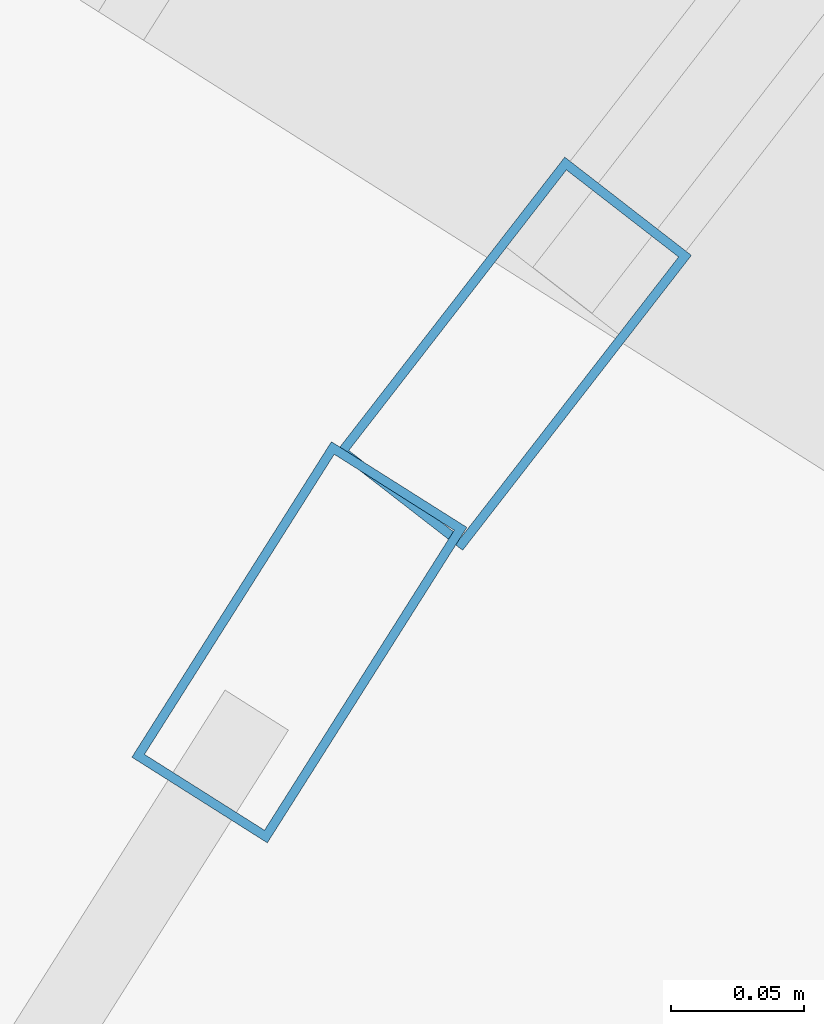
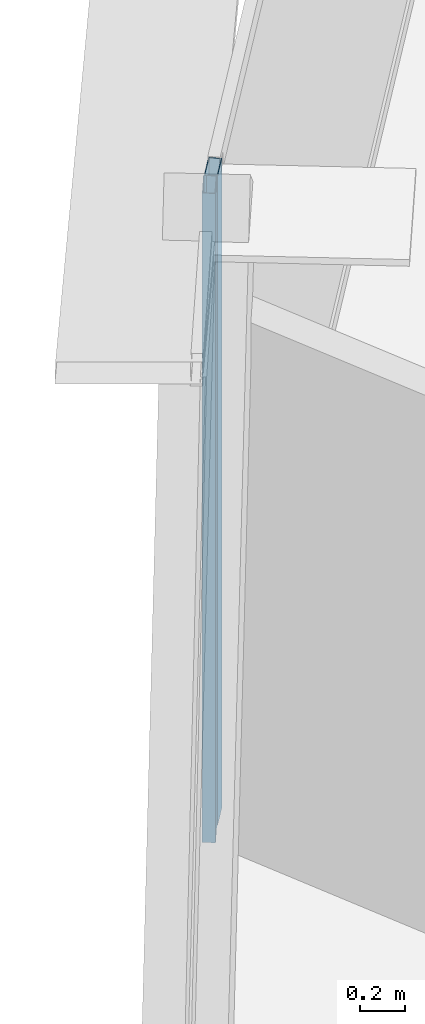
# One storey, part 21 of 34: 2 members, 2 elements without a shape of their own.
"""IFC4 building model written with IfcOpenShell, lengths in metres."""

from ifc_helpers import new_model, si_unit, direction, frame, origin, origin_2d, place, context, subcontext, project, spatial, hollow_rectangle, extrude, source, transform, mapped, material, layer, layer_set, material_profile, profile_set, type_object, element, aggregate, save


model = new_model("IFC4")

# Units and contexts
model_context = context("Model", 3, precision=1e-05, world=origin(), true_north=direction((0.0, 1.0)))
body_context = subcontext(model_context, "Body", "Model", "MODEL_VIEW")
ifc_project = project(units=[si_unit("LENGTHUNIT", "METRE"), si_unit("AREAUNIT", "SQUARE_METRE"), si_unit("VOLUMEUNIT", "CUBIC_METRE"), si_unit("PLANEANGLEUNIT", "RADIAN"), si_unit("MASSUNIT", "GRAM", prefix="KILO"), si_unit("THERMODYNAMICTEMPERATUREUNIT", "KELVIN"), si_unit("POWERUNIT", "WATT")], contexts=[model_context])

# Site, building, storey
site_placement = place(None, origin())
site = spatial("IfcSite", under=ifc_project, at=site_placement, CompositionType="ELEMENT")
building_placement = place(site_placement, origin())
building = spatial("IfcBuilding", under=site, at=building_placement, Name="Yunzhuo Pagoda Commons", CompositionType="ELEMENT")
storey_placement = place(building_placement, frame((0.0, 0.0, 333.010009765625)))
storey = spatial("IfcBuildingStorey", under=building, at=storey_placement, Name="L83", CompositionType="ELEMENT", Elevation=333.010009765625)

# Curtain wall, member
ifc_material = material(Name="Anodized aluminium 6063-T6", Category="aluminium")
ifc_layer = layer(ifc_material, 0.139892578125)
ifc_layer_set = layer_set([ifc_layer], Name="Anodized aluminium 6063-T6")
curtain_wall_type = type_object("IfcCurtainWallType", Name="CW-HI High-Zone Ribbon Curtain Wall", PredefinedType="NOTDEFINED", material=ifc_layer_set)
curtain_wall_1_placement = place(storey_placement, origin())
curtain_wall_1 = element("IfcCurtainWall", 1, at=curtain_wall_1_placement, inside=storey, type_object=curtain_wall_type, Name="L83 curtain wall CW-L83-F3B2", PredefinedType="NOTDEFINED")
ifc_material_profile = material_profile(ifc_material, hollow_rectangle(XDim=0.06005859375, YDim=0.139892578125, WallThickness=0.00341796875, at=origin_2d()), Name="Anodized aluminium 6063-T6")
ifc_profile_set = profile_set([ifc_material_profile], Name="Anodized aluminium 6063-T6")
member_type = type_object("IfcMemberType", Name="CW-HI-M Mullion RHS 140x60x3.5", PredefinedType="MULLION", material=ifc_profile_set)
shared_shape = source(origin(), body_context, "Body", "SweptSolid", [
    extrude(hollow_rectangle(XDim=0.06005859375, YDim=0.139892578125, WallThickness=0.00341796875, at=origin_2d()), origin(), (0.0, 0.0, 1.0), 3.489990234375),
])
member_1_placement = place(storey_placement, frame((35.765869140625, 61.117431640625, 0.0), z_axis=(0.0, 0.0, 1.0), x_axis=(0.845148830397, -0.534531060349, 0.0)))
member_1 = element("IfcMember", 2, at=member_1_placement, type_object=member_type, Name="CW mullion 1", PredefinedType="MULLION", context=body_context, shape_type="MappedRepresentation", body=[
    mapped(shared_shape, transform((0.0, 0.0, 0.0), scale=1.0)),
])
aggregate(curtain_wall_1, [member_1])

curtain_wall_2_placement = place(storey_placement, origin())
curtain_wall_2 = element("IfcCurtainWall", 3, at=curtain_wall_2_placement, inside=storey, type_object=curtain_wall_type, Name="L83 curtain wall CW-L83-F3B1", PredefinedType="NOTDEFINED")
member_2_placement = place(storey_placement, frame((35.84619140625, 61.2255859375, 0.0), z_axis=(0.0, 0.0, 1.0), x_axis=(0.790146906982, -0.612917502921, 0.0)))
member_2 = element("IfcMember", 4, at=member_2_placement, type_object=member_type, Name="CW mullion 2", PredefinedType="MULLION", context=body_context, shape_type="MappedRepresentation", body=[
    mapped(shared_shape, transform((0.0, 0.0, 0.0), scale=1.0)),
])
aggregate(curtain_wall_2, [member_2])

save(model, "model.ifc")
